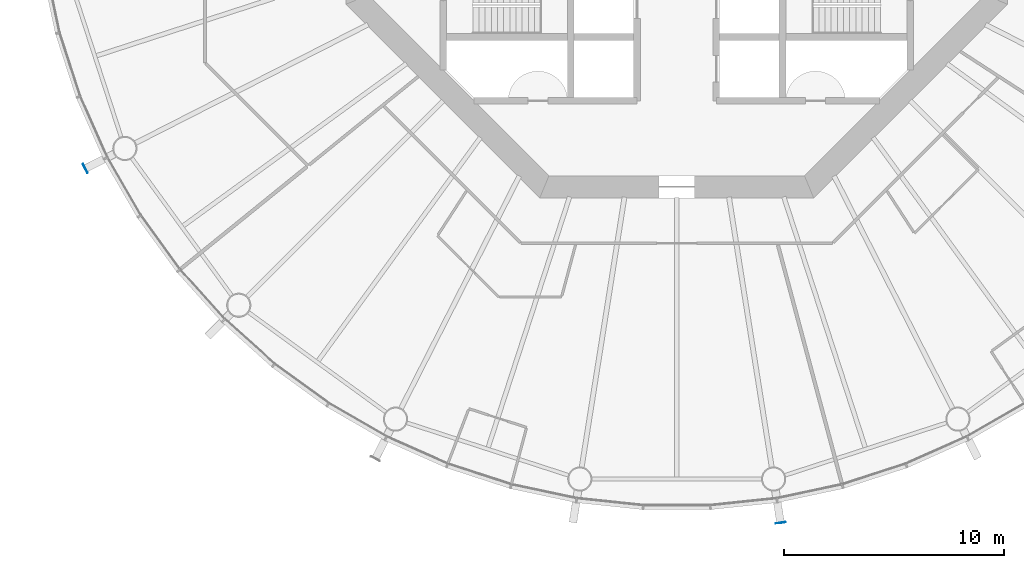
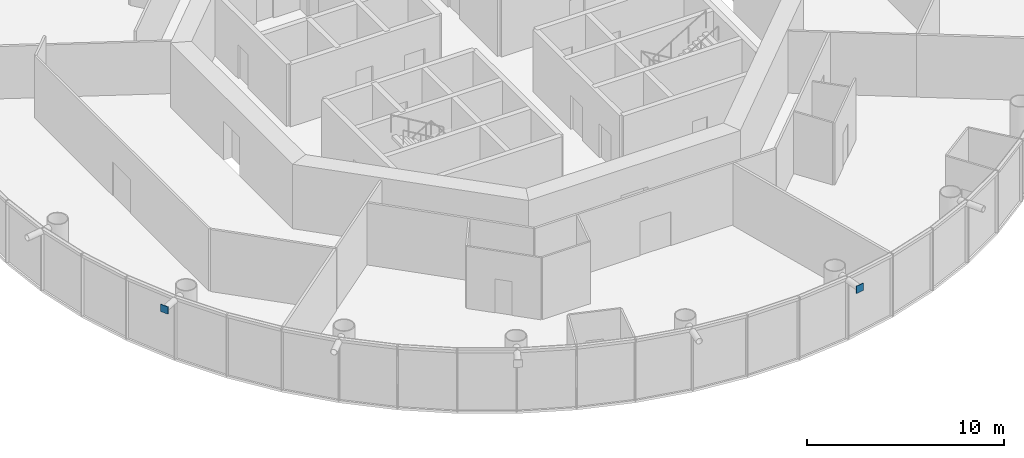
# One storey, part 7 of 17: 2 discrete accessories.
"""IFC4 building model written with IfcOpenShell, lengths in metres."""

from ifc_helpers import new_model, si_unit, direction, frame, origin, origin_2d, place, context, subcontext, project, spatial, rectangle, extrude, material, element, save


model = new_model("IFC4")

# Units and contexts
model_context = context("Model", 3, precision=1e-05, world=origin(), true_north=direction((0.0, 1.0)))
body_context = subcontext(model_context, "Body", "Model", "MODEL_VIEW")
ifc_project = project(units=[si_unit("LENGTHUNIT", "METRE"), si_unit("AREAUNIT", "SQUARE_METRE"), si_unit("VOLUMEUNIT", "CUBIC_METRE"), si_unit("PLANEANGLEUNIT", "RADIAN"), si_unit("MASSUNIT", "GRAM", prefix="KILO")], contexts=[model_context])

# Site, building, storey
site_placement = place(None, origin())
site = spatial("IfcSite", under=ifc_project, at=site_placement, CompositionType="ELEMENT")
building_placement = place(site_placement, origin())
building = spatial("IfcBuilding", under=site, at=building_placement, Name="Entoto Ring Tower", CompositionType="ELEMENT")
storey_placement = place(building_placement, frame((0.0, 0.0, 176.0)))
storey = spatial("IfcBuildingStorey", under=building, at=storey_placement, Name="L40", CompositionType="ELEMENT", Elevation=176.0)

# Discrete accessories
ifc_material = material(Name="Steel S355", Category="steel")
for number, where, z_axis, x_axis, name in (
    (1, (63.167236328125, 66.328125, 3.4443359375), (0.0, 0.0, 1.0), (-0.891006524188, -0.45399049974, 0.0), "Node strut end plate DS1 ring 12 12"),
    (2, (94.7109375, 50.255859375, 3.4443359375), (0.0, 0.0, 1.0), (0.15643446504, -0.987688340595, 0.0), "Node strut end plate DS1 ring 12 16"),
):
    element("IfcDiscreteAccessory", number, at=place(storey_placement, frame(where, z_axis=z_axis, x_axis=x_axis)), inside=storey, material=ifc_material, Name=name, PredefinedType="BRACKET", context=body_context, shape_type="SweptSolid", body=[
        extrude(rectangle(XDim=0.030029296875, YDim=0.45556640625, at=origin_2d()), origin(), (0.0, 0.0, 1.0), 0.45556640625),
    ])

save(model, "model.ifc")
